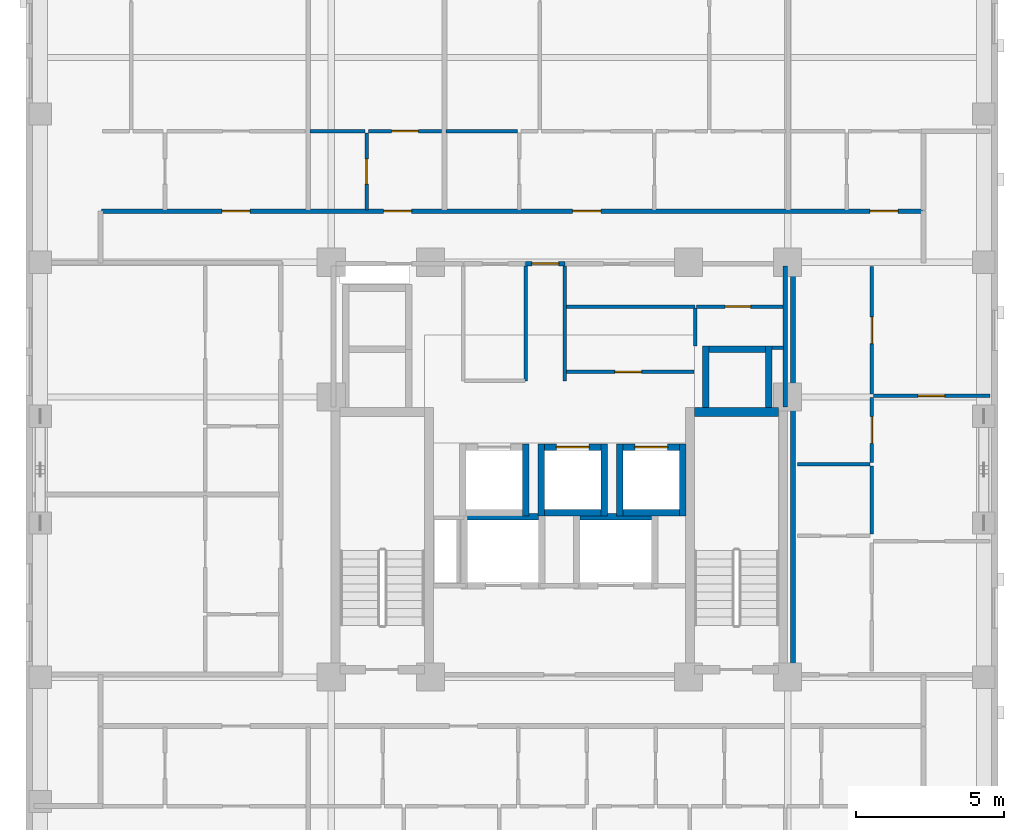
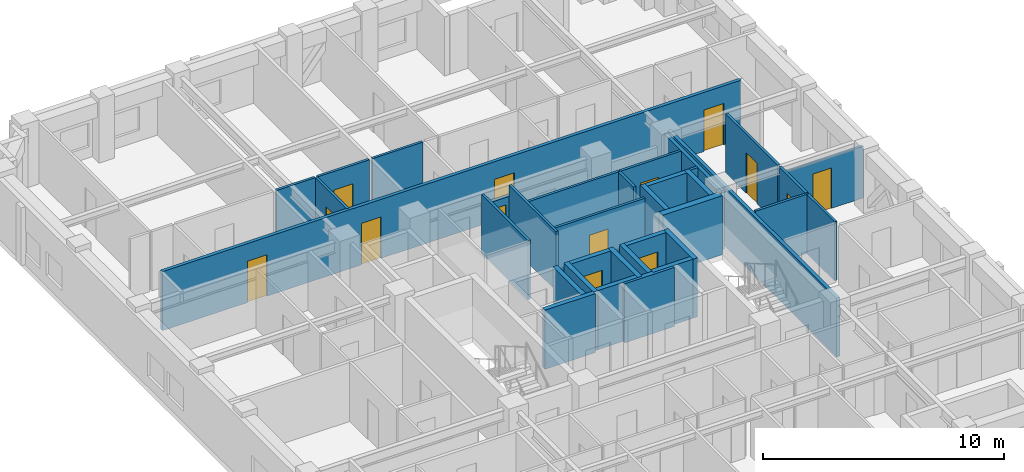
# One storey, part 6 of 11: 35 walls, 14 doors, 14 openings.
"""IFC4 building model written with IfcOpenShell, lengths in metres."""

import ifcopenshell
import ifcopenshell.guid

model = None  # the IFC model being written
_history = None  # IfcOwnerHistory: only IFC2X3 demands one
_inside = {}  # id of a spatial element -> (the spatial element, [elements in it])
_under = {}  # id of a project, library or spatial element -> (it, [spatial elements below it])
_declared = {}  # id of a project -> (the project, [libraries it declares])
_typed = {}  # id of a type object -> (the type object, [elements of that type])
_made_of = {}  # id of a material, layer set ... -> (it, [elements and type objects made of it])


def new_model(schema):
    """Start an empty IFC model of exactly this schema.

    Asked for "IFC4X3", IfcOpenShell would pick the latest addendum, in which some entities
    have other attributes; the version numbers below select the first issue.
    IFC2X3 requires an IfcOwnerHistory on every rooted entity: one is made here for all.
    """
    global model, _history
    if schema == "IFC4X3":
        model = ifcopenshell.file(schema_version=(4, 3, 0, 0))
    else:
        model = ifcopenshell.file(schema=schema)
    _inside.clear()
    _under.clear()
    _declared.clear()
    _typed.clear()
    _made_of.clear()
    _history = None
    if model.schema == "IFC2X3":
        org = make("IfcOrganization", Name="unknown")
        user = make(
            "IfcPersonAndOrganization",
            ThePerson=make("IfcPerson", FamilyName="unknown"),
            TheOrganization=org,
        )
        app = make(
            "IfcApplication",
            ApplicationDeveloper=org,
            Version="unknown",
            ApplicationFullName="unknown",
            ApplicationIdentifier="unknown",
        )
        _history = make(
            "IfcOwnerHistory",
            OwningUser=user,
            OwningApplication=app,
            ChangeAction="ADDED",
            CreationDate=0,
        )
    return model


def make(cls, **values):
    """One entity of the class cls with the attributes given. An attribute that is None is left unset."""
    return model.create_entity(
        cls, **{name: value for name, value in values.items() if value is not None}
    )


def rooted(cls, **values):
    """An entity with a GlobalId (a new one), such as an element, a storey or a relation."""
    return make(cls, GlobalId=ifcopenshell.guid.new(), OwnerHistory=_history, **values)


def si_unit(unit_type, name, prefix=None):
    """IfcSIUnit, for example si_unit("LENGTHUNIT", "METRE", prefix="MILLI")."""
    return make("IfcSIUnit", UnitType=unit_type, Prefix=prefix, Name=name)


def derived_unit(unit_type, elements):
    """IfcDerivedUnit: a product of units, each with its exponent."""
    return make(
        "IfcDerivedUnit",
        Elements=[
            make("IfcDerivedUnitElement", Unit=unit, Exponent=power)
            for unit, power in elements
        ],
        UnitType=unit_type,
    )


def assignment(units):
    """IfcUnitAssignment: the units of a project."""
    return None if units is None else make("IfcUnitAssignment", Units=units)


def point(xyz):
    """IfcCartesianPoint."""
    return None if xyz is None else make("IfcCartesianPoint", Coordinates=xyz)


def direction(xyz):
    """IfcDirection."""
    return None if xyz is None else make("IfcDirection", DirectionRatios=xyz)


def frame(location, z_axis=None, x_axis=None):
    """IfcAxis2Placement3D, a coordinate frame: its origin and axes. An axis left out is left unset."""
    return make(
        "IfcAxis2Placement3D",
        Location=point(location),
        Axis=direction(z_axis),
        RefDirection=direction(x_axis),
    )


def frame_2d(location, x_axis=None):
    """IfcAxis2Placement2D, a coordinate frame in the plane: its origin and x axis."""
    return make(
        "IfcAxis2Placement2D", Location=point(location), RefDirection=direction(x_axis)
    )


def origin():
    """The frame at (0, 0, 0) with its axes left unset."""
    return frame((0.0, 0.0, 0.0))


def place(relative_to, where):
    """IfcLocalPlacement: puts the frame where relative to a parent placement (None: the world)."""
    return make(
        "IfcLocalPlacement", PlacementRelTo=relative_to, RelativePlacement=where
    )


def context(
    kind, dimensions, precision=None, world=None, true_north=None, identifier=None
):
    """IfcGeometricRepresentationContext, for example the 3D "Model" context."""
    return make(
        "IfcGeometricRepresentationContext",
        ContextIdentifier=identifier,
        ContextType=kind,
        CoordinateSpaceDimension=dimensions,
        Precision=precision,
        WorldCoordinateSystem=world,
        TrueNorth=true_north,
    )


def subcontext(parent, identifier, kind, view, scale=None):
    """IfcGeometricRepresentationSubContext, for example "Body" below "Model"."""
    return make(
        "IfcGeometricRepresentationSubContext",
        ContextIdentifier=identifier,
        ContextType=kind,
        ParentContext=parent,
        TargetScale=scale,
        TargetView=view,
    )


def project(units=None, contexts=None):
    """IfcProject with its units and contexts."""
    return rooted(
        "IfcProject",
        Name="project",
        RepresentationContexts=contexts,
        UnitsInContext=assignment(units),
    )


def spatial(cls, under=None, at=None, **own):
    """A site, building, storey or space (cls), placed at a placement, below another one or the project."""
    s = rooted(cls, ObjectPlacement=at, **own)
    if under is not None:
        _under.setdefault(under.id(), (under, []))[1].append(s)
    return s


def profile(cls, at=None, kind="AREA", **sizes):
    """A parametric profile (cls). Its sizes go by their IFC names, for example OverallWidth=200.0."""
    return make(cls, ProfileType=kind, Position=at, **sizes)


def rectangle(**sizes):
    """IfcRectangleProfileDef."""
    return profile("IfcRectangleProfileDef", **sizes)


def extrude(swept, where, along, depth):
    """IfcExtrudedAreaSolid: the profile swept, set in the frame where, extruded along a direction by depth."""
    return make(
        "IfcExtrudedAreaSolid",
        SweptArea=swept,
        Position=where,
        ExtrudedDirection=direction(along),
        Depth=depth,
    )


def shape(context_of_items, identifier, shape_type, items):
    """IfcShapeRepresentation: the items that make up one representation, for example the "Body"."""
    return make(
        "IfcShapeRepresentation",
        ContextOfItems=context_of_items,
        RepresentationIdentifier=identifier,
        RepresentationType=shape_type,
        Items=items,
    )


def material(Name=None, Category=None):
    """IfcMaterial."""
    return make("IfcMaterial", Name=Name, Category=Category)


def layer(
    of_material, thickness, ventilated=None, Name=None, Category=None, Priority=None
):
    """IfcMaterialLayer: one layer of a wall or slab, of a material (None: an air gap)."""
    return make(
        "IfcMaterialLayer",
        Material=of_material,
        LayerThickness=thickness,
        IsVentilated=ventilated,
        Name=Name,
        Category=Category,
        Priority=Priority,
    )


def layer_set(layers, Name=None):
    """IfcMaterialLayerSet."""
    return make("IfcMaterialLayerSet", MaterialLayers=layers, LayerSetName=Name)


def made_of(thing, what):
    """Note that an element or type object is made of a material, layer set ...; save() writes the relation."""
    if what is not None:
        _made_of.setdefault(what.id(), (what, []))[1].append(thing)
    return thing


def type_object(cls, material=None, **own):
    """A type object (cls), such as IfcWallType, which elements share."""
    return made_of(rooted(cls, **own), material)


def element(
    cls,
    number,
    at=None,
    inside=None,
    cuts=None,
    type_object=None,
    material=None,
    context=None,
    identifier="Body",
    shape_type=None,
    held_by="IfcProductDefinitionShape",
    body=None,
    shapes=None,
    **own,
):
    """One element of the class cls, such as IfcWall. Its Tag is "e" and its number.

    at: its placement. inside: the storey or other place that contains it. cuts: it is an
    opening in that element (IfcRelVoidsElement). A single representation is given by context,
    identifier, shape_type and body (its items); several are given by shapes. held_by: the class
    of the entity that holds the representations. save() writes the other relations.
    """
    e = rooted(cls, Tag="e%d" % number, ObjectPlacement=at, **own)
    if body is not None:
        shapes = [shape(context, identifier, shape_type, body)]
    if shapes is not None:
        e.Representation = make(held_by, Representations=shapes)
    if inside is not None:
        _inside.setdefault(inside.id(), (inside, []))[1].append(e)
    if cuts is not None:
        rooted(
            "IfcRelVoidsElement", RelatingBuildingElement=cuts, RelatedOpeningElement=e
        )
    if type_object is not None:
        _typed.setdefault(type_object.id(), (type_object, []))[1].append(e)
    return made_of(e, material)


def fill(opening, filler):
    """IfcRelFillsElement: the door or window that sits in an opening."""
    return rooted(
        "IfcRelFillsElement",
        RelatingOpeningElement=opening,
        RelatedBuildingElement=filler,
    )


def aggregate(whole, parts):
    """IfcRelAggregates: a whole, such as a stair, and the parts it consists of."""
    return rooted("IfcRelAggregates", RelatingObject=whole, RelatedObjects=parts)


def save(model, path):
    """Write the relations noted so far, then the file.

    IfcRelAggregates (storeys below a building ...), IfcRelContainedInSpatialStructure (elements
    in a storey), IfcRelDefinesByType, IfcRelAssociatesMaterial and IfcRelDeclares: one each for
    every whole, place, type object, material and project.
    """
    for whole, parts in _under.values():
        aggregate(whole, parts)
    for where, things in _inside.values():
        rooted(
            "IfcRelContainedInSpatialStructure",
            RelatedElements=things,
            RelatingStructure=where,
        )
    for kind, things in _typed.values():
        rooted("IfcRelDefinesByType", RelatedObjects=things, RelatingType=kind)
    for what, things in _made_of.values():
        rooted("IfcRelAssociatesMaterial", RelatedObjects=things, RelatingMaterial=what)
    for by, libraries in _declared.values():
        rooted("IfcRelDeclares", RelatingContext=by, RelatedDefinitions=libraries)
    model.write(path)


model = new_model("IFC4")

# Units and contexts
model_context = context("Model", 3, precision=1e-05, world=origin(), true_north=direction((0.0, 1.0)))
body_context = subcontext(model_context, "Body", "Model", "MODEL_VIEW")
ifc_project = project(units=[si_unit("LENGTHUNIT", "METRE"), si_unit("AREAUNIT", "SQUARE_METRE"), si_unit("VOLUMEUNIT", "CUBIC_METRE"), si_unit("PLANEANGLEUNIT", "RADIAN"), si_unit("MASSUNIT", "GRAM", prefix="KILO"), derived_unit("THERMALTRANSMITTANCEUNIT", [(si_unit("MASSUNIT", "GRAM", prefix="KILO"), 1), (si_unit("TIMEUNIT", "SECOND"), -3), (si_unit("THERMODYNAMICTEMPERATUREUNIT", "KELVIN"), -1)])], contexts=[model_context])

# Site, building, storey
site_placement = place(None, origin())
site = spatial("IfcSite", under=ifc_project, at=site_placement, CompositionType="ELEMENT")
building_placement = place(site_placement, origin())
building = spatial("IfcBuilding", under=site, at=building_placement, Name="Korrvale Station Residences", CompositionType="ELEMENT")
storey_placement = place(building_placement, frame((0.0, 0.0, 140.64990234375)))
storey = spatial("IfcBuildingStorey", under=building, at=storey_placement, Name="L40", CompositionType="ELEMENT", Elevation=140.64990234375)

# Walls
ifc_material_1 = material(Name="Concrete C60/75", Category="concrete")
ifc_layer_1 = layer(ifc_material_1, 0.300048828125, Name="Concrete C60/75")
ifc_layer_set_1 = layer_set([ifc_layer_1], Name="Concrete C60/75")
wall_type_1 = type_object("IfcWallType", Name="WAL-CORE-300-C60", PredefinedType="SHEAR", material=ifc_layer_set_1)
wall_1_placement = place(storey_placement, frame((30.050048828125, 23.949951171875, 0.0), z_axis=(0.0, 0.0, 1.0), x_axis=(1.0, 0.0, 0.0)))
element("IfcWall", 1, at=wall_1_placement, inside=storey, type_object=wall_type_1, Name="L40 ST-2 Core Shear Wall North", PredefinedType="SHEAR", context=body_context, shape_type="SweptSolid", body=[
    extrude(rectangle(XDim=2.849853515625, YDim=0.300048828125, at=frame_2d((1.4248046875, 0.0))), origin(), (0.0, 0.0, 1.0), 2.989990234375),
])
ifc_material_2 = material(Name="Acoustic steel-stud gypsum board partition", Category="steel")
ifc_layer_2 = layer(ifc_material_2, 0.1201171875, Name="Acoustic steel-stud gypsum board partition")
ifc_layer_set_2 = layer_set([ifc_layer_2], Name="Acoustic steel-stud gypsum board partition")
wall_type_2 = type_object("IfcWallType", Name="WAL-PART-125", PredefinedType="PARTITIONING", material=ifc_layer_set_2)
for number, where, z_axis, x_axis, name in (
    (2, (24.360107421875, 25.0, 0.0), (0.0, 0.0, 1.0), (0.0, 1.0, 0.0), "L40 Core Partition CW-PSG-W"),
    (3, (25.679931640625, 25.0, 0.0), (0.0, 0.0, 1.0), (0.0, 1.0, 0.0), "L40 Core Partition CW-PSG-E"),
):
    element("IfcWall", number, at=place(storey_placement, frame(where, z_axis=z_axis, x_axis=x_axis)), inside=storey, type_object=wall_type_2, Name=name, PredefinedType="PARTITIONING", context=body_context, shape_type="SweptSolid", body=[
        extrude(rectangle(XDim=3.8701171875, YDim=0.1201171875, at=frame_2d((1.93505859375, 0.0))), origin(), (0.0, 0.0, 1.0), 2.989990234375),
    ])
wall_2_placement = place(storey_placement, frame((30.080078125, 26.179931640625, 0.0), z_axis=(0.0, 0.0, 1.0), x_axis=(0.0, 1.0, 0.0)))
element("IfcWall", 4, at=wall_2_placement, inside=storey, type_object=wall_type_2, Name="L40 Core Partition CW-CS-W", PredefinedType="PARTITIONING", context=body_context, shape_type="SweptSolid", body=[
    extrude(rectangle(XDim=1.280029296875, YDim=0.1201171875, at=frame_2d((0.64013671875, 0.0))), origin(), (0.0, 0.0, 1.0), 2.989990234375),
])
wall_3_placement = place(storey_placement, frame((32.679931640625, 26.1201171875, 0.0), z_axis=(0.0, 0.0, 1.0), x_axis=(1.0, 0.0, 0.0)))
element("IfcWall", 5, at=wall_3_placement, inside=storey, type_object=wall_type_2, Name="L40 Core Partition CW-CS-S", PredefinedType="PARTITIONING", context=body_context, shape_type="SweptSolid", body=[
    extrude(rectangle(XDim=0.380126953125, YDim=0.1201171875, at=frame_2d((0.18994140625, 0.0))), origin(), (0.0, 0.0, 1.0), 2.989990234375),
])

# Wall, opening, door
wall_4_placement = place(storey_placement, frame((30.1201171875, 27.5, 0.0), z_axis=(0.0, 0.0, 1.0), x_axis=(1.0, 0.0, 0.0)))
wall_4 = element("IfcWall", 6, at=wall_4_placement, inside=storey, type_object=wall_type_2, Name="L40 Core Partition CW-CS-H", PredefinedType="PARTITIONING", context=body_context, shape_type="SweptSolid", body=[
    extrude(rectangle(XDim=2.919921875, YDim=0.1201171875, at=frame_2d((1.4599609375, 0.0))), origin(), (0.0, 0.0, 1.0), 2.989990234375),
])
opening_1_placement = place(wall_4_placement, frame((0.969970703125, 0.0, 0.0)))
opening_1 = element("IfcOpeningElement", 7, at=opening_1_placement, cuts=wall_4, Name="Opening DB-860", PredefinedType="OPENING", context=body_context, shape_type="SweptSolid", body=[
    extrude(rectangle(XDim=0.860107421875, YDim=2.050048828125, at=frame_2d((0.43017578125, 1.02490234375))), frame((0.0, 0.070068359375, 0.0), z_axis=(0.0, -1.0, 0.0), x_axis=(1.0, 0.0, 0.0)), (0.0, 0.0, 1.0), 0.14013671875),
])
ifc_material_3 = material(Name="Moisture-resistant solid-core bathroom door", Category="timber")
door_type_1 = type_object("IfcDoorType", Name="DR-BATH-860", OperationType="NOTDEFINED", PredefinedType="DOOR", material=ifc_material_3)
door_1_placement = place(opening_1_placement, origin())
door_1 = element("IfcDoor", 8, at=door_1_placement, inside=storey, type_object=door_type_1, Name="L40 Mail Sorting Inner Door", OperationType="SINGLE_SWING_RIGHT", OverallHeight=2.050048828125, OverallWidth=0.860107421875, PredefinedType="DOOR", context=body_context, shape_type="SweptSolid", body=[
    extrude(rectangle(XDim=0.860107421875, YDim=2.050048828125, at=frame_2d((0.43017578125, 1.02490234375))), frame((0.0, 0.02490234375, 0.0), z_axis=(0.0, -1.0, 0.0), x_axis=(1.0, 0.0, 0.0)), (0.0, 0.0, 1.0), 0.050048828125),
])
fill(opening_1, door_1)

# Wall
wall_5_placement = place(storey_placement, frame((25.719970703125, 27.5, 0.0), z_axis=(0.0, 0.0, 1.0), x_axis=(1.0, 0.0, 0.0)))
element("IfcWall", 9, at=wall_5_placement, inside=storey, type_object=wall_type_2, Name="L40 Core Partition CW-FPLE-H", PredefinedType="PARTITIONING", context=body_context, shape_type="SweptSolid", body=[
    extrude(rectangle(XDim=4.360107421875, YDim=0.1201171875, at=frame_2d((2.18017578125, 0.0))), origin(), (0.0, 0.0, 1.0), 2.989990234375),
])

# Wall, opening, door
wall_6_placement = place(storey_placement, frame((25.719970703125, 25.300048828125, 0.0), z_axis=(0.0, 0.0, 1.0), x_axis=(1.0, 0.0, 0.0)))
wall_6 = element("IfcWall", 10, at=wall_6_placement, inside=storey, type_object=wall_type_2, Name="L40 Core Partition CW-FPLE-S", PredefinedType="PARTITIONING", context=body_context, shape_type="SweptSolid", body=[
    extrude(rectangle(XDim=4.320068359375, YDim=0.1201171875, at=frame_2d((2.16015625, 0.0))), origin(), (0.0, 0.0, 1.0), 2.989990234375),
])
opening_2_placement = place(wall_6_placement, frame((1.64990234375, 0.0, 0.0)))
opening_2 = element("IfcOpeningElement", 11, at=opening_2_placement, cuts=wall_6, Name="Opening DI-900", PredefinedType="OPENING", context=body_context, shape_type="SweptSolid", body=[
    extrude(rectangle(XDim=0.89990234375, YDim=2.050048828125, at=frame_2d((0.449951171875, 1.02490234375))), frame((0.0, 0.070068359375, 0.0), z_axis=(0.0, -1.0, 0.0), x_axis=(1.0, 0.0, 0.0)), (0.0, 0.0, 1.0), 0.14013671875),
])
ifc_material_4 = material(Name="Painted solid-core timber interior room door", Category="wood")
door_type_2 = type_object("IfcDoorType", Name="DR-INT-900", OperationType="NOTDEFINED", PredefinedType="DOOR", material=ifc_material_4)
door_2_placement = place(opening_2_placement, origin())
door_2 = element("IfcDoor", 12, at=door_2_placement, inside=storey, type_object=door_type_2, Name="L40 Housekeeping Linen Door", OperationType="SINGLE_SWING_RIGHT", OverallHeight=2.050048828125, OverallWidth=0.89990234375, PredefinedType="DOOR", context=body_context, shape_type="SweptSolid", body=[
    extrude(rectangle(XDim=0.89990234375, YDim=2.050048828125, at=frame_2d((0.449951171875, 1.02490234375))), frame((0.0, 0.02490234375, 0.0), z_axis=(0.0, -1.0, 0.0), x_axis=(1.0, 0.0, 0.0)), (0.0, 0.0, 1.0), 0.050048828125),
])
fill(opening_2, door_2)

wall_7_placement = place(storey_placement, frame((18.993896484375, 30.760009765625, 0.0), z_axis=(0.0, 0.0, 1.0), x_axis=(0.0, 1.0, 0.0)))
wall_7 = element("IfcWall", 13, at=wall_7_placement, inside=storey, type_object=wall_type_2, Name="L40 Suite Partition U04-V01", PredefinedType="PARTITIONING", context=body_context, shape_type="SweptSolid", body=[
    extrude(rectangle(XDim=2.60009765625, YDim=0.1201171875, at=frame_2d((1.300048828125, 0.0))), origin(), (0.0, 0.0, 1.0), 2.989990234375),
])
opening_3_placement = place(wall_7_placement, frame((0.8701171875, 0.0, 0.0)))
opening_3 = element("IfcOpeningElement", 14, at=opening_3_placement, cuts=wall_7, Name="Opening DB-860", PredefinedType="OPENING", context=body_context, shape_type="SweptSolid", body=[
    extrude(rectangle(XDim=0.860107421875, YDim=2.050048828125, at=frame_2d((0.43017578125, 1.02490234375))), frame((0.0, 0.070068359375, 0.0), z_axis=(0.0, -1.0, 0.0), x_axis=(1.0, 0.0, 0.0)), (0.0, 0.0, 1.0), 0.14013671875),
])
door_3_placement = place(opening_3_placement, origin())
door_3 = element("IfcDoor", 15, at=door_3_placement, inside=storey, type_object=door_type_1, Name="L40 Studio Apartment L40-U04 Bathroom Door", OperationType="SINGLE_SWING_LEFT", OverallHeight=2.050048828125, OverallWidth=0.860107421875, PredefinedType="DOOR", context=body_context, shape_type="SweptSolid", body=[
    extrude(rectangle(XDim=0.860107421875, YDim=2.050048828125, at=frame_2d((0.43017578125, 1.02490234375))), frame((0.0, 0.02490234375, 0.0), z_axis=(0.0, -1.0, 0.0), x_axis=(1.0, 0.0, 0.0)), (0.0, 0.0, 1.0), 0.050048828125),
])
fill(opening_3, door_3)

# Wall
wall_8_placement = place(storey_placement, frame((17.083984375, 33.419921875, 0.0), z_axis=(0.0, 0.0, 1.0), x_axis=(1.0, 0.0, 0.0)))
element("IfcWall", 16, at=wall_8_placement, inside=storey, type_object=wall_type_2, Name="L40 Suite Partition U04-H02", PredefinedType="PARTITIONING", context=body_context, shape_type="SweptSolid", body=[
    extrude(rectangle(XDim=1.85009765625, YDim=0.1201171875, at=frame_2d((0.925048828125, 0.0))), origin(), (0.0, 0.0, 1.0), 2.989990234375),
])

# Wall, opening, door
wall_9_placement = place(storey_placement, frame((19.053955078125, 33.419921875, 0.0), z_axis=(0.0, 0.0, 1.0), x_axis=(1.0, 0.0, 0.0)))
wall_9 = element("IfcWall", 17, at=wall_9_placement, inside=storey, type_object=wall_type_2, Name="L40 Suite Partition U04-H12", PredefinedType="PARTITIONING", context=body_context, shape_type="SweptSolid", body=[
    extrude(rectangle(XDim=2.467041015625, YDim=0.1201171875, at=frame_2d((1.2333984375, 0.0))), origin(), (0.0, 0.0, 1.0), 2.989990234375),
])
opening_4_placement = place(wall_9_placement, frame((0.782958984375, 0.0, 0.0)))
opening_4 = element("IfcOpeningElement", 18, at=opening_4_placement, cuts=wall_9, Name="Opening DI-900", PredefinedType="OPENING", context=body_context, shape_type="SweptSolid", body=[
    extrude(rectangle(XDim=0.89990234375, YDim=2.050048828125, at=frame_2d((0.449951171875, 1.02490234375))), frame((0.0, 0.070068359375, 0.0), z_axis=(0.0, -1.0, 0.0), x_axis=(1.0, 0.0, 0.0)), (0.0, 0.0, 1.0), 0.14013671875),
])
door_4_placement = place(opening_4_placement, origin())
door_4 = element("IfcDoor", 19, at=door_4_placement, inside=storey, type_object=door_type_2, Name="L40 Studio Apartment L40-U04 Kitchen Door", OperationType="SINGLE_SWING_RIGHT", OverallHeight=2.050048828125, OverallWidth=0.89990234375, PredefinedType="DOOR", context=body_context, shape_type="SweptSolid", body=[
    extrude(rectangle(XDim=0.89990234375, YDim=2.050048828125, at=frame_2d((0.449951171875, 1.02490234375))), frame((0.0, 0.02490234375, 0.0), z_axis=(0.0, -1.0, 0.0), x_axis=(1.0, 0.0, 0.0)), (0.0, 0.0, 1.0), 0.050048828125),
])
fill(opening_4, door_4)

# Walls
wall_10_placement = place(storey_placement, frame((21.680908203125, 33.419921875, 0.0), z_axis=(0.0, 0.0, 1.0), x_axis=(1.0, 0.0, 0.0)))
element("IfcWall", 20, at=wall_10_placement, inside=storey, type_object=wall_type_2, Name="L40 Suite Partition U05-H03", PredefinedType="PARTITIONING", context=body_context, shape_type="SweptSolid", body=[
    extrude(rectangle(XDim=2.400146484375, YDim=0.1201171875, at=frame_2d((1.2001953125, 0.0))), origin(), (0.0, 0.0, 1.0), 2.989990234375),
])
wall_11_placement = place(storey_placement, frame((33.530029296875, 22.18994140625, 0.0), z_axis=(0.0, 0.0, 1.0), x_axis=(1.0, 0.0, 0.0)))
element("IfcWall", 21, at=wall_11_placement, inside=storey, type_object=wall_type_2, Name="L40 Suite Partition U09-H01", PredefinedType="PARTITIONING", context=body_context, shape_type="SweptSolid", body=[
    extrude(rectangle(XDim=2.449951171875, YDim=0.1201171875, at=frame_2d((1.22509765625, 0.0))), origin(), (0.0, 0.0, 1.0), 2.989990234375),
])

# Wall, opening, door
wall_12_placement = place(storey_placement, frame((36.0400390625, 22.25, 0.0), z_axis=(0.0, 0.0, 1.0), x_axis=(0.0, 1.0, 0.0)))
wall_12 = element("IfcWall", 22, at=wall_12_placement, inside=storey, type_object=wall_type_2, Name="L40 Suite Partition U09-V04", PredefinedType="PARTITIONING", context=body_context, shape_type="SweptSolid", body=[
    extrude(rectangle(XDim=2.181884765625, YDim=0.1201171875, at=frame_2d((1.0908203125, 0.0))), origin(), (0.0, 0.0, 1.0), 2.989990234375),
])
opening_5_placement = place(wall_12_placement, frame((0.64111328125, 0.0, 0.0)))
opening_5 = element("IfcOpeningElement", 23, at=opening_5_placement, cuts=wall_12, Name="Opening DI-900", PredefinedType="OPENING", context=body_context, shape_type="SweptSolid", body=[
    extrude(rectangle(XDim=0.89990234375, YDim=2.050048828125, at=frame_2d((0.449951171875, 1.02490234375))), frame((0.0, 0.070068359375, 0.0), z_axis=(0.0, -1.0, 0.0), x_axis=(1.0, 0.0, 0.0)), (0.0, 0.0, 1.0), 0.14013671875),
])
door_5_placement = place(opening_5_placement, origin())
door_5 = element("IfcDoor", 24, at=door_5_placement, inside=storey, type_object=door_type_2, Name="L40 Apartment 2BR L40-U09 Wardrobe Storage Room Door", OperationType="SINGLE_SWING_LEFT", OverallHeight=2.050048828125, OverallWidth=0.89990234375, PredefinedType="DOOR", context=body_context, shape_type="SweptSolid", body=[
    extrude(rectangle(XDim=0.89990234375, YDim=2.050048828125, at=frame_2d((0.449951171875, 1.02490234375))), frame((0.0, 0.02490234375, 0.0), z_axis=(0.0, -1.0, 0.0), x_axis=(1.0, 0.0, 0.0)), (0.0, 0.0, 1.0), 0.050048828125),
])
fill(opening_5, door_5)

wall_13_placement = place(storey_placement, frame((36.0400390625, 24.552001953125, 0.0), z_axis=(0.0, 0.0, 1.0), x_axis=(0.0, 1.0, 0.0)))
wall_13 = element("IfcWall", 25, at=wall_13_placement, inside=storey, type_object=wall_type_2, Name="L40 Suite Partition U09-V05", PredefinedType="PARTITIONING", context=body_context, shape_type="SweptSolid", body=[
    extrude(rectangle(XDim=4.30810546875, YDim=0.1201171875, at=frame_2d((2.154052734375, 0.0))), origin(), (0.0, 0.0, 1.0), 2.989990234375),
])
opening_6_placement = place(wall_13_placement, frame((1.7041015625, 0.0, 0.0)))
opening_6 = element("IfcOpeningElement", 26, at=opening_6_placement, cuts=wall_13, Name="Opening DI-900", PredefinedType="OPENING", context=body_context, shape_type="SweptSolid", body=[
    extrude(rectangle(XDim=0.89990234375, YDim=2.050048828125, at=frame_2d((0.449951171875, 1.02490234375))), frame((0.0, 0.070068359375, 0.0), z_axis=(0.0, -1.0, 0.0), x_axis=(1.0, 0.0, 0.0)), (0.0, 0.0, 1.0), 0.14013671875),
])
door_6_placement = place(opening_6_placement, origin())
door_6 = element("IfcDoor", 27, at=door_6_placement, inside=storey, type_object=door_type_2, Name="L40 Apartment 2BR L40-U09 Wardrobe Storage Room Door", OperationType="SINGLE_SWING_RIGHT", OverallHeight=2.050048828125, OverallWidth=0.89990234375, PredefinedType="DOOR", context=body_context, shape_type="SweptSolid", body=[
    extrude(rectangle(XDim=0.89990234375, YDim=2.050048828125, at=frame_2d((0.449951171875, 1.02490234375))), frame((0.0, 0.02490234375, 0.0), z_axis=(0.0, -1.0, 0.0), x_axis=(1.0, 0.0, 0.0)), (0.0, 0.0, 1.0), 0.050048828125),
])
fill(opening_6, door_6)

# Wall
wall_14_placement = place(storey_placement, frame((36.0400390625, 19.830078125, 0.0), z_axis=(0.0, 0.0, 1.0), x_axis=(0.0, 1.0, 0.0)))
element("IfcWall", 28, at=wall_14_placement, inside=storey, type_object=wall_type_2, Name="L40 Suite Partition U09-V14", PredefinedType="PARTITIONING", context=body_context, shape_type="SweptSolid", body=[
    extrude(rectangle(XDim=2.2998046875, YDim=0.1201171875, at=frame_2d((1.14990234375, 0.0))), origin(), (0.0, 0.0, 1.0), 2.989990234375),
])

# Wall, opening, door
wall_15_placement = place(storey_placement, frame((36.10009765625, 24.491943359375, 0.0), z_axis=(0.0, 0.0, 1.0), x_axis=(1.0, 0.0, 0.0)))
wall_15 = element("IfcWall", 29, at=wall_15_placement, inside=storey, type_object=wall_type_2, Name="L40 Suite Partition U09-H45", PredefinedType="PARTITIONING", context=body_context, shape_type="SweptSolid", body=[
    extrude(rectangle(XDim=3.919921875, YDim=0.1201171875, at=frame_2d((1.9599609375, 0.0))), origin(), (0.0, 0.0, 1.0), 2.62109375),
])
opening_7_placement = place(wall_15_placement, frame((1.4951171875, 0.0, 0.0)))
opening_7 = element("IfcOpeningElement", 30, at=opening_7_placement, cuts=wall_15, Name="Opening DI-900", PredefinedType="OPENING", context=body_context, shape_type="SweptSolid", body=[
    extrude(rectangle(XDim=0.89990234375, YDim=2.050048828125, at=frame_2d((0.449951171875, 1.02490234375))), frame((0.0, 0.070068359375, 0.0), z_axis=(0.0, -1.0, 0.0), x_axis=(1.0, 0.0, 0.0)), (0.0, 0.0, 1.0), 0.14013671875),
])
door_7_placement = place(opening_7_placement, origin())
door_7 = element("IfcDoor", 31, at=door_7_placement, inside=storey, type_object=door_type_2, Name="L40 Apartment 2BR L40-U09 Living and Dining Room Door", OperationType="SINGLE_SWING_RIGHT", OverallHeight=2.050048828125, OverallWidth=0.89990234375, PredefinedType="DOOR", context=body_context, shape_type="SweptSolid", body=[
    extrude(rectangle(XDim=0.89990234375, YDim=2.050048828125, at=frame_2d((0.449951171875, 1.02490234375))), frame((0.0, 0.02490234375, 0.0), z_axis=(0.0, -1.0, 0.0), x_axis=(1.0, 0.0, 0.0)), (0.0, 0.0, 1.0), 0.050048828125),
])
fill(opening_7, door_7)

# Wall
ifc_material_5 = material(Name="Fire-rated twin-stud gypsum and mineral wool shaftwall assembly", Category="gypsum")
ifc_layer_3 = layer(ifc_material_5, 0.159912109375, Name="Fire-rated twin-stud gypsum and mineral wool shaftwall assembly")
ifc_layer_set_3 = layer_set([ifc_layer_3], Name="Fire-rated twin-stud gypsum and mineral wool shaftwall assembly")
wall_type_3 = type_object("IfcWallType", Name="WAL-PART-200", PredefinedType="PARTITIONING", material=ifc_layer_set_3)
wall_16_placement = place(storey_placement, frame((33.1201171875, 24.1201171875, 0.0), z_axis=(0.0, 0.0, 1.0), x_axis=(0.0, 1.0, 0.0)))
element("IfcWall", 32, at=wall_16_placement, inside=storey, type_object=wall_type_3, Name="L40 Core Partition CW-E-N", PredefinedType="PARTITIONING", context=body_context, shape_type="SweptSolid", body=[
    extrude(rectangle(XDim=4.759765625, YDim=0.159912109375, at=frame_2d((2.3798828125, 0.0))), origin(), (0.0, 0.0, 1.0), 2.989990234375),
])

# Wall, opening, door
wall_17_placement = place(storey_placement, frame((24.360107421875, 28.949951171875, 0.0), z_axis=(0.0, 0.0, 1.0), x_axis=(1.0, 0.0, 0.0)))
wall_17 = element("IfcWall", 33, at=wall_17_placement, inside=storey, type_object=wall_type_3, Name="L40 Core Partition CW-LLOB-N", PredefinedType="PARTITIONING", context=body_context, shape_type="SweptSolid", body=[
    extrude(rectangle(XDim=1.31982421875, YDim=0.159912109375, at=frame_2d((0.659912109375, 0.0))), origin(), (0.0, 0.0, 1.0), 2.426025390625),
])
opening_8_placement = place(wall_17_placement, frame((0.2099609375, 0.0, 0.0)))
opening_8 = element("IfcOpeningElement", 34, at=opening_8_placement, cuts=wall_17, Name="Opening DI-900", PredefinedType="OPENING", context=body_context, shape_type="SweptSolid", body=[
    extrude(rectangle(XDim=0.89990234375, YDim=2.050048828125, at=frame_2d((0.449951171875, 1.02490234375))), frame((0.0, 0.08984375, 0.0), z_axis=(0.0, -1.0, 0.0), x_axis=(1.0, 0.0, 0.0)), (0.0, 0.0, 1.0), 0.179931640625),
])
door_8_placement = place(opening_8_placement, origin())
door_8 = element("IfcDoor", 35, at=door_8_placement, inside=storey, type_object=door_type_2, Name="L40 Central Hallway North Passage Door", OperationType="SINGLE_SWING_RIGHT", OverallHeight=2.050048828125, OverallWidth=0.89990234375, PredefinedType="DOOR", context=body_context, shape_type="SweptSolid", body=[
    extrude(rectangle(XDim=0.89990234375, YDim=2.050048828125, at=frame_2d((0.449951171875, 1.02490234375))), frame((0.0, 0.02490234375, 0.0), z_axis=(0.0, -1.0, 0.0), x_axis=(1.0, 0.0, 0.0)), (0.0, 0.0, 1.0), 0.050048828125),
])
fill(opening_8, door_8)

# Wall, openings, doors
wall_18_placement = place(storey_placement, frame((10.050048828125, 30.719970703125, 0.0), z_axis=(0.0, 0.0, 1.0), x_axis=(1.0, 0.0, 0.0)))
wall_18 = element("IfcWall", 36, at=wall_18_placement, inside=storey, type_object=wall_type_3, Name="L40 Rated Corridor Wall N", PredefinedType="PARTITIONING", context=body_context, shape_type="SweptSolid", body=[
    extrude(rectangle(XDim=27.699951171875, YDim=0.159912109375, at=frame_2d((13.85009765625, 0.0))), origin(), (0.0, 0.0, 1.0), 2.989990234375),
])
opening_9_placement = place(wall_18_placement, frame((4.06298828125, 0.0, 0.0)))
opening_9 = element("IfcOpeningElement", 37, at=opening_9_placement, cuts=wall_18, Name="Opening UD-950", PredefinedType="OPENING", context=body_context, shape_type="SweptSolid", body=[
    extrude(rectangle(XDim=0.949951171875, YDim=2.10009765625, at=frame_2d((0.47509765625, 1.050048828125))), frame((0.0, 0.08984375, 0.0), z_axis=(0.0, -1.0, 0.0), x_axis=(1.0, 0.0, 0.0)), (0.0, 0.0, 1.0), 0.179931640625),
])
opening_10_placement = place(wall_18_placement, frame((9.514892578125, 0.0, 0.0)))
opening_10 = element("IfcOpeningElement", 38, at=opening_10_placement, cuts=wall_18, Name="Opening UD-950", PredefinedType="OPENING", context=body_context, shape_type="SweptSolid", body=[
    extrude(rectangle(XDim=0.949951171875, YDim=2.10009765625, at=frame_2d((0.47509765625, 1.050048828125))), frame((0.0, 0.08984375, 0.0), z_axis=(0.0, -1.0, 0.0), x_axis=(1.0, 0.0, 0.0)), (0.0, 0.0, 1.0), 0.179931640625),
])
opening_11_placement = place(wall_18_placement, frame((15.89599609375, 0.0, 0.0)))
opening_11 = element("IfcOpeningElement", 39, at=opening_11_placement, cuts=wall_18, Name="Opening UD-950", PredefinedType="OPENING", context=body_context, shape_type="SweptSolid", body=[
    extrude(rectangle(XDim=0.949951171875, YDim=2.10009765625, at=frame_2d((0.47509765625, 1.050048828125))), frame((0.0, 0.08984375, 0.0), z_axis=(0.0, -1.0, 0.0), x_axis=(1.0, 0.0, 0.0)), (0.0, 0.0, 1.0), 0.179931640625),
])
opening_12_placement = place(wall_18_placement, frame((25.925048828125, 0.0, 0.0)))
opening_12 = element("IfcOpeningElement", 40, at=opening_12_placement, cuts=wall_18, Name="Opening UD-950", PredefinedType="OPENING", context=body_context, shape_type="SweptSolid", body=[
    extrude(rectangle(XDim=0.949951171875, YDim=2.10009765625, at=frame_2d((0.47509765625, 1.050048828125))), frame((0.0, 0.08984375, 0.0), z_axis=(0.0, -1.0, 0.0), x_axis=(1.0, 0.0, 0.0)), (0.0, 0.0, 1.0), 0.179931640625),
])
ifc_material_6 = material(Name="Solid-core acoustic oak apartment entrance door", Category="timber")
door_type_3 = type_object("IfcDoorType", Name="DR-UNIT-950", OperationType="NOTDEFINED", PredefinedType="DOOR", material=ifc_material_6)
door_9_placement = place(opening_9_placement, origin())
door_9 = element("IfcDoor", 41, at=door_9_placement, inside=storey, type_object=door_type_3, Name="L40 Apartment L40-U03 Entrance Door", OperationType="SINGLE_SWING_LEFT", OverallHeight=2.10009765625, OverallWidth=0.949951171875, PredefinedType="DOOR", context=body_context, shape_type="SweptSolid", body=[
    extrude(rectangle(XDim=0.949951171875, YDim=2.10009765625, at=frame_2d((0.47509765625, 1.050048828125))), frame((0.0, 0.02490234375, 0.0), z_axis=(0.0, -1.0, 0.0), x_axis=(1.0, 0.0, 0.0)), (0.0, 0.0, 1.0), 0.050048828125),
])
fill(opening_9, door_9)
door_10_placement = place(opening_10_placement, origin())
door_10 = element("IfcDoor", 42, at=door_10_placement, inside=storey, type_object=door_type_3, Name="L40 Apartment L40-U04 Entrance Door", OperationType="SINGLE_SWING_RIGHT", OverallHeight=2.10009765625, OverallWidth=0.949951171875, PredefinedType="DOOR", context=body_context, shape_type="SweptSolid", body=[
    extrude(rectangle(XDim=0.949951171875, YDim=2.10009765625, at=frame_2d((0.47509765625, 1.050048828125))), frame((0.0, 0.02490234375, 0.0), z_axis=(0.0, -1.0, 0.0), x_axis=(1.0, 0.0, 0.0)), (0.0, 0.0, 1.0), 0.050048828125),
])
fill(opening_10, door_10)
door_11_placement = place(opening_11_placement, origin())
door_11 = element("IfcDoor", 43, at=door_11_placement, inside=storey, type_object=door_type_3, Name="L40 Apartment L40-U05 Entrance Door", OperationType="SINGLE_SWING_LEFT", OverallHeight=2.10009765625, OverallWidth=0.949951171875, PredefinedType="DOOR", context=body_context, shape_type="SweptSolid", body=[
    extrude(rectangle(XDim=0.949951171875, YDim=2.10009765625, at=frame_2d((0.47509765625, 1.050048828125))), frame((0.0, 0.02490234375, 0.0), z_axis=(0.0, -1.0, 0.0), x_axis=(1.0, 0.0, 0.0)), (0.0, 0.0, 1.0), 0.050048828125),
])
fill(opening_11, door_11)
door_12_placement = place(opening_12_placement, origin())
door_12 = element("IfcDoor", 44, at=door_12_placement, inside=storey, type_object=door_type_3, Name="L40 Apartment L40-U06 Entrance Door", OperationType="SINGLE_SWING_RIGHT", OverallHeight=2.10009765625, OverallWidth=0.949951171875, PredefinedType="DOOR", context=body_context, shape_type="SweptSolid", body=[
    extrude(rectangle(XDim=0.949951171875, YDim=2.10009765625, at=frame_2d((0.47509765625, 1.050048828125))), frame((0.0, 0.02490234375, 0.0), z_axis=(0.0, -1.0, 0.0), x_axis=(1.0, 0.0, 0.0)), (0.0, 0.0, 1.0), 0.050048828125),
])
fill(opening_12, door_12)

# Walls
wall_19_placement = place(storey_placement, frame((33.3798828125, 15.02001953125, 0.0), z_axis=(0.0, 0.0, 1.0), x_axis=(0.0, 1.0, 0.0)))
element("IfcWall", 45, at=wall_19_placement, inside=storey, type_object=wall_type_3, Name="L40 Rated Corridor Wall E", PredefinedType="PARTITIONING", context=body_context, shape_type="SweptSolid", body=[
    extrude(rectangle(XDim=13.97998046875, YDim=0.159912109375, at=frame_2d((6.989990234375, 0.0))), origin(), (0.0, 0.0, 1.0), 2.989990234375),
])
ifc_layer_4 = layer(ifc_material_1, 0.219970703125, Name="Concrete C60/75")
ifc_layer_set_4 = layer_set([ifc_layer_4], Name="Concrete C60/75")
wall_type_4 = type_object("IfcWallType", Name="WAL-SHAFT-220-C60", PredefinedType="SHEAR", material=ifc_layer_set_4)
wall_20_placement = place(storey_placement, frame((24.360107421875, 20.429931640625, 0.0), z_axis=(0.0, 0.0, 1.0), x_axis=(0.0, 1.0, 0.0)))
element("IfcWall", 46, at=wall_20_placement, inside=storey, type_object=wall_type_4, Name="L40 Elevator PM-1 Hoistway Wall East", PredefinedType="SHEAR", context=body_context, shape_type="SweptSolid", body=[
    extrude(rectangle(XDim=2.440185546875, YDim=0.219970703125, at=frame_2d((1.22021484375, 0.0))), origin(), (0.0, 0.0, 1.0), 2.989990234375),
])
wall_21_placement = place(storey_placement, frame((25.0, 20.5400390625, 0.0), z_axis=(0.0, 0.0, 1.0), x_axis=(1.0, 0.0, 0.0)))
element("IfcWall", 47, at=wall_21_placement, inside=storey, type_object=wall_type_4, Name="L40 Elevator PM-2 Hoistway Wall South", PredefinedType="SHEAR", context=body_context, shape_type="SweptSolid", body=[
    extrude(rectangle(XDim=1.89990234375, YDim=0.219970703125, at=frame_2d((0.949951171875, 0.0))), origin(), (0.0, 0.0, 1.0), 2.989990234375),
])

# Wall, opening, door
wall_22_placement = place(storey_placement, frame((25.0, 22.760009765625, 0.0), z_axis=(0.0, 0.0, 1.0), x_axis=(1.0, 0.0, 0.0)))
wall_22 = element("IfcWall", 48, at=wall_22_placement, inside=storey, type_object=wall_type_4, Name="L40 Elevator PM-2 Hoistway Wall North", PredefinedType="SHEAR", context=body_context, shape_type="SweptSolid", body=[
    extrude(rectangle(XDim=1.89990234375, YDim=0.219970703125, at=frame_2d((0.949951171875, 0.0))), origin(), (0.0, 0.0, 1.0), 2.989990234375),
])
opening_13_placement = place(wall_22_placement, frame((0.39990234375, 0.0, 0.0)))
opening_13 = element("IfcOpeningElement", 49, at=opening_13_placement, cuts=wall_22, Name="Opening LD-1100", PredefinedType="OPENING", context=body_context, shape_type="SweptSolid", body=[
    extrude(rectangle(XDim=1.10009765625, YDim=2.14990234375, at=frame_2d((0.550048828125, 1.074951171875))), frame((0.0, 0.1201171875, 0.0), z_axis=(0.0, -1.0, 0.0), x_axis=(1.0, 0.0, 0.0)), (0.0, 0.0, 1.0), 0.239990234375),
])
ifc_material_7 = material(Name="Brushed stainless-steel elevator landing sliding door", Category="steel")
door_type_4 = type_object("IfcDoorType", Name="DR-LIFT-1100", OperationType="SLIDING_TO_LEFT", PredefinedType="DOOR", material=ifc_material_7)
door_13_placement = place(opening_13_placement, origin())
door_13 = element("IfcDoor", 50, at=door_13_placement, inside=storey, type_object=door_type_4, Name="L40 Elevator PM-2 Sliding Landing Door", OperationType="SLIDING_TO_LEFT", OverallHeight=2.14990234375, OverallWidth=1.10009765625, PredefinedType="DOOR", context=body_context, shape_type="SweptSolid", body=[
    extrude(rectangle(XDim=1.10009765625, YDim=2.14990234375, at=frame_2d((0.550048828125, 1.074951171875))), frame((0.0, 0.02490234375, 0.0), z_axis=(0.0, -1.0, 0.0), x_axis=(1.0, 0.0, 0.0)), (0.0, 0.0, 1.0), 0.050048828125),
])
fill(opening_13, door_13)

# Walls
for number, where, z_axis, x_axis, name in (
    (51, (24.889892578125, 20.429931640625, 0.0), (0.0, 0.0, 1.0), (0.0, 1.0, 0.0), "L40 Elevator PM-2 Hoistway Wall West"),
    (52, (27.010009765625, 20.429931640625, 0.0), (0.0, 0.0, 1.0), (0.0, 1.0, 0.0), "L40 Elevator PM-2 Hoistway Wall East"),
):
    element("IfcWall", number, at=place(storey_placement, frame(where, z_axis=z_axis, x_axis=x_axis)), inside=storey, type_object=wall_type_4, Name=name, PredefinedType="SHEAR", context=body_context, shape_type="SweptSolid", body=[
        extrude(rectangle(XDim=2.440185546875, YDim=0.219970703125, at=frame_2d((1.22021484375, 0.0))), origin(), (0.0, 0.0, 1.0), 2.989990234375),
    ])
wall_23_placement = place(storey_placement, frame((27.64990234375, 20.5400390625, 0.0), z_axis=(0.0, 0.0, 1.0), x_axis=(1.0, 0.0, 0.0)))
element("IfcWall", 53, at=wall_23_placement, inside=storey, type_object=wall_type_4, Name="L40 Elevator PM-3 Hoistway Wall South", PredefinedType="SHEAR", context=body_context, shape_type="SweptSolid", body=[
    extrude(rectangle(XDim=1.900146484375, YDim=0.219970703125, at=frame_2d((0.9501953125, 0.0))), origin(), (0.0, 0.0, 1.0), 2.989990234375),
])

# Wall, opening, door
wall_24_placement = place(storey_placement, frame((27.64990234375, 22.760009765625, 0.0), z_axis=(0.0, 0.0, 1.0), x_axis=(1.0, 0.0, 0.0)))
wall_24 = element("IfcWall", 54, at=wall_24_placement, inside=storey, type_object=wall_type_4, Name="L40 Elevator PM-3 Hoistway Wall North", PredefinedType="SHEAR", context=body_context, shape_type="SweptSolid", body=[
    extrude(rectangle(XDim=1.900146484375, YDim=0.219970703125, at=frame_2d((0.9501953125, 0.0))), origin(), (0.0, 0.0, 1.0), 2.989990234375),
])
opening_14_placement = place(wall_24_placement, frame((0.39990234375, 0.0, 0.0)))
opening_14 = element("IfcOpeningElement", 55, at=opening_14_placement, cuts=wall_24, Name="Opening LD-1100", PredefinedType="OPENING", context=body_context, shape_type="SweptSolid", body=[
    extrude(rectangle(XDim=1.10009765625, YDim=2.14990234375, at=frame_2d((0.550048828125, 1.074951171875))), frame((0.0, 0.1201171875, 0.0), z_axis=(0.0, -1.0, 0.0), x_axis=(1.0, 0.0, 0.0)), (0.0, 0.0, 1.0), 0.239990234375),
])
door_14_placement = place(opening_14_placement, origin())
door_14 = element("IfcDoor", 56, at=door_14_placement, inside=storey, type_object=door_type_4, Name="L40 Elevator PM-3 Sliding Landing Door", OperationType="SLIDING_TO_LEFT", OverallHeight=2.14990234375, OverallWidth=1.10009765625, PredefinedType="DOOR", context=body_context, shape_type="SweptSolid", body=[
    extrude(rectangle(XDim=1.10009765625, YDim=2.14990234375, at=frame_2d((0.550048828125, 1.074951171875))), frame((0.0, 0.02490234375, 0.0), z_axis=(0.0, -1.0, 0.0), x_axis=(1.0, 0.0, 0.0)), (0.0, 0.0, 1.0), 0.050048828125),
])
fill(opening_14, door_14)

# Walls
for number, where, z_axis, x_axis, name in (
    (57, (27.5400390625, 20.429931640625, 0.0), (0.0, 0.0, 1.0), (0.0, 1.0, 0.0), "L40 Elevator PM-3 Hoistway Wall West"),
    (58, (29.659912109375, 20.429931640625, 0.0), (0.0, 0.0, 1.0), (0.0, 1.0, 0.0), "L40 Elevator PM-3 Hoistway Wall East"),
):
    element("IfcWall", number, at=place(storey_placement, frame(where, z_axis=z_axis, x_axis=x_axis)), inside=storey, type_object=wall_type_4, Name=name, PredefinedType="SHEAR", context=body_context, shape_type="SweptSolid", body=[
        extrude(rectangle(XDim=2.440185546875, YDim=0.219970703125, at=frame_2d((1.22021484375, 0.0))), origin(), (0.0, 0.0, 1.0), 2.989990234375),
    ])
wall_25_placement = place(storey_placement, frame((30.550048828125, 26.06005859375, 0.0), z_axis=(0.0, 0.0, 1.0), x_axis=(1.0, 0.0, 0.0)))
element("IfcWall", 59, at=wall_25_placement, inside=storey, type_object=wall_type_4, Name="L40 Elevator PH-3 Hoistway Wall North", PredefinedType="SHEAR", context=body_context, shape_type="SweptSolid", body=[
    extrude(rectangle(XDim=1.89990234375, YDim=0.219970703125, at=frame_2d((0.949951171875, 0.0))), origin(), (0.0, 0.0, 1.0), 2.989990234375),
])
for number, where, z_axis, x_axis, name in (
    (60, (30.43994140625, 24.10009765625, 0.0), (0.0, 0.0, 1.0), (0.0, 1.0, 0.0), "L40 Elevator PH-3 Hoistway Wall West"),
    (61, (32.56005859375, 24.10009765625, 0.0), (0.0, 0.0, 1.0), (0.0, 1.0, 0.0), "L40 Elevator PH-3 Hoistway Wall East"),
):
    element("IfcWall", number, at=place(storey_placement, frame(where, z_axis=z_axis, x_axis=x_axis)), inside=storey, type_object=wall_type_4, Name=name, PredefinedType="SHEAR", context=body_context, shape_type="SweptSolid", body=[
        extrude(rectangle(XDim=2.06982421875, YDim=0.219970703125, at=frame_2d((1.034912109375, 0.0))), origin(), (0.0, 0.0, 1.0), 2.989990234375),
    ])
for number, where, z_axis, x_axis, name in (
    (62, (22.39990234375, 20.409912109375, 0.0), (0.0, 0.0, 1.0), (1.0, 0.0, 0.0), "L40 Elevator FFL-1 Hoistway Wall North"),
    (63, (26.199951171875, 20.409912109375, 0.0), (0.0, 0.0, 1.0), (1.0, 0.0, 0.0), "L40 Elevator FFL-2 Hoistway Wall North"),
):
    element("IfcWall", number, at=place(storey_placement, frame(where, z_axis=z_axis, x_axis=x_axis)), inside=storey, type_object=wall_type_4, Name=name, PredefinedType="SHEAR", context=body_context, shape_type="SweptSolid", body=[
        extrude(rectangle(XDim=2.400146484375, YDim=0.219970703125, at=frame_2d((1.2001953125, 0.0))), origin(), (0.0, 0.0, 1.0), 2.989990234375),
    ])

save(model, "model.ifc")
